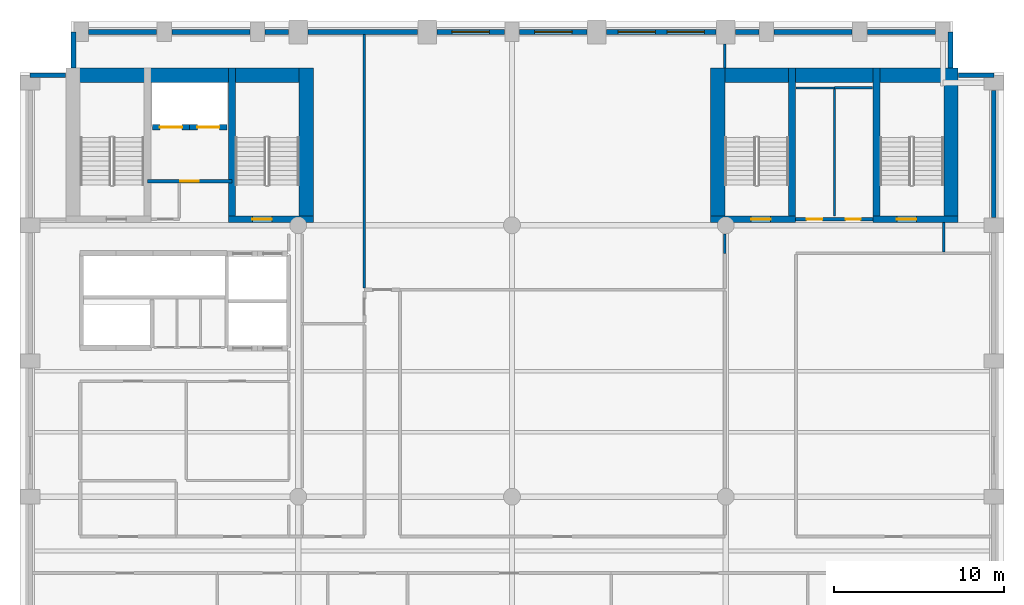
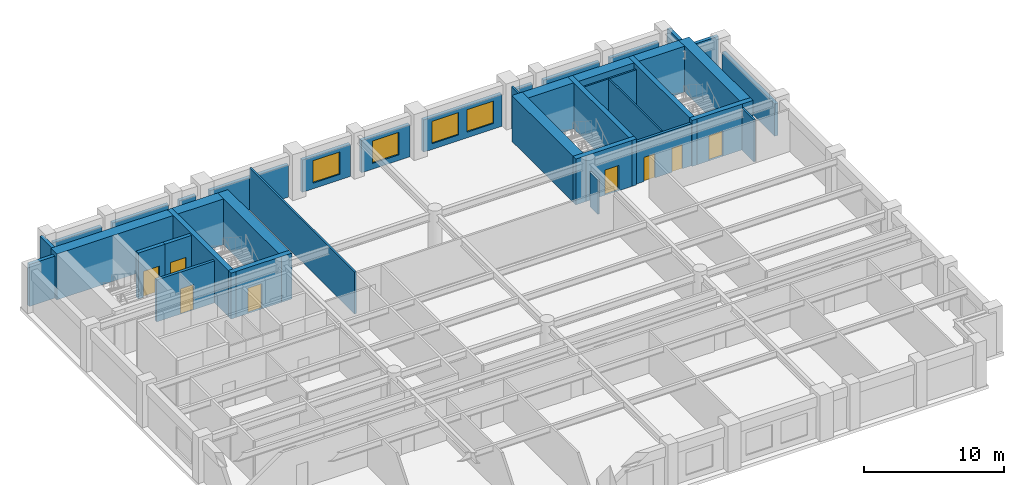
# One storey, part 5 of 8: 37 walls, 8 doors, 4 windows, 12 openings.
"""IFC4 building model written with IfcOpenShell, lengths in metres."""

from ifc_helpers import new_model, si_unit, direction, frame, frame_2d, origin, place, context, subcontext, project, spatial, rectangle, extrude, material, layer, layer_set, type_object, element, fill, save


model = new_model("IFC4")

# Units and contexts
model_context = context("Model", 3, precision=1e-05, world=origin(), true_north=direction((0.0, 1.0)))
body_context = subcontext(model_context, "Body", "Model", "MODEL_VIEW")
ifc_project = project(units=[si_unit("LENGTHUNIT", "METRE"), si_unit("AREAUNIT", "SQUARE_METRE"), si_unit("VOLUMEUNIT", "CUBIC_METRE"), si_unit("PLANEANGLEUNIT", "RADIAN"), si_unit("MASSUNIT", "GRAM", prefix="KILO")], contexts=[model_context])

# Site, building, storey
site_placement = place(None, origin())
site = spatial("IfcSite", under=ifc_project, at=site_placement, CompositionType="ELEMENT")
building_placement = place(site_placement, origin())
building = spatial("IfcBuilding", under=site, at=building_placement, Name="Sulina Concourse Tower", CompositionType="ELEMENT")
storey_placement = place(building_placement, frame((0.0, 0.0, 156.60009765625)))
storey = spatial("IfcBuildingStorey", under=building, at=storey_placement, Name="L38", CompositionType="ELEMENT", Elevation=156.60009765625)

# Wall, opening, door
ifc_material_1 = material(Name="Concrete C50/60", Category="concrete")
ifc_layer_1 = layer(ifc_material_1, 0.300048828125)
ifc_layer_set_1 = layer_set([ifc_layer_1], Name="Concrete C50/60")
wall_type_1 = type_object("IfcWallType", Name="Core Lift Hoistway Wall 300mm", PredefinedType="SOLIDWALL", material=ifc_layer_set_1)
wall_1_placement = place(storey_placement, frame((10.0, 39.780029296875, 0.0), z_axis=(0.0, 0.0, 1.0), x_axis=(-1.0, 0.0, 0.0)))
wall_1 = element("IfcWall", 1, at=wall_1_placement, inside=storey, type_object=wall_type_1, Name="L38 hoistway enclosure wall FFL-1", PredefinedType="SOLIDWALL", context=body_context, shape_type="SweptSolid", body=[
    extrude(rectangle(XDim=2.199951171875, YDim=0.300048828125, at=frame_2d((1.10009765625, 0.0))), origin(), (0.0, 0.0, 1.0), 4.0),
])
opening_1_placement = place(wall_1_placement, frame((0.449951171875, 0.0, 0.0)))
opening_1 = element("IfcOpeningElement", 2, at=opening_1_placement, cuts=wall_1, Name="Opening LD-02", PredefinedType="OPENING", context=body_context, shape_type="SweptSolid", body=[
    extrude(rectangle(XDim=1.300048828125, YDim=2.25, at=frame_2d((0.64990234375, 1.125))), frame((0.0, 0.159912109375, 0.0), z_axis=(0.0, -1.0, 0.0), x_axis=(1.0, 0.0, 0.0)), (0.0, 0.0, 1.0), 0.320068359375),
])
ifc_material_2 = material(Name="Stainless steel lift landing door", Category="steel")
ifc_layer_2 = layer(ifc_material_2, 0.050048828125)
ifc_layer_set_2 = layer_set([ifc_layer_2], Name="Stainless steel lift landing door")
door_type_1 = type_object("IfcDoorType", Name="Firefighting Lift Sliding Landing Door 1300x2250", OperationType="SLIDING_TO_RIGHT", PredefinedType="DOOR", material=ifc_layer_set_2)
door_1_placement = place(opening_1_placement, origin())
door_1 = element("IfcDoor", 3, at=door_1_placement, inside=storey, type_object=door_type_1, Name="L38 lift landing sliding door FFL-1", OperationType="SLIDING_TO_LEFT", OverallHeight=2.25, OverallWidth=1.300048828125, PredefinedType="DOOR", context=body_context, shape_type="SweptSolid", body=[
    extrude(rectangle(XDim=1.300048828125, YDim=2.25, at=frame_2d((0.64990234375, 1.125))), frame((0.0, 0.02490234375, 0.0), z_axis=(0.0, -1.0, 0.0), x_axis=(1.0, 0.0, 0.0)), (0.0, 0.0, 1.0), 0.050048828125),
])
fill(opening_1, door_1)

wall_2_placement = place(storey_placement, frame((12.199951171875, 39.780029296875, 0.0), z_axis=(0.0, 0.0, 1.0), x_axis=(-1.0, 0.0, 0.0)))
wall_2 = element("IfcWall", 4, at=wall_2_placement, inside=storey, type_object=wall_type_1, Name="L38 hoistway enclosure wall FFL-2", PredefinedType="SOLIDWALL", context=body_context, shape_type="SweptSolid", body=[
    extrude(rectangle(XDim=2.199951171875, YDim=0.300048828125, at=frame_2d((1.10009765625, 0.0))), origin(), (0.0, 0.0, 1.0), 4.0),
])
opening_2_placement = place(wall_2_placement, frame((0.449951171875, 0.0, 0.0)))
opening_2 = element("IfcOpeningElement", 5, at=opening_2_placement, cuts=wall_2, Name="Opening LD-02", PredefinedType="OPENING", context=body_context, shape_type="SweptSolid", body=[
    extrude(rectangle(XDim=1.300048828125, YDim=2.25, at=frame_2d((0.64990234375, 1.125))), frame((0.0, 0.159912109375, 0.0), z_axis=(0.0, -1.0, 0.0), x_axis=(1.0, 0.0, 0.0)), (0.0, 0.0, 1.0), 0.320068359375),
])
door_2_placement = place(opening_2_placement, origin())
door_2 = element("IfcDoor", 6, at=door_2_placement, inside=storey, type_object=door_type_1, Name="L38 lift landing sliding door FFL-2", OperationType="SLIDING_TO_RIGHT", OverallHeight=2.25, OverallWidth=1.300048828125, PredefinedType="DOOR", context=body_context, shape_type="SweptSolid", body=[
    extrude(rectangle(XDim=1.300048828125, YDim=2.25, at=frame_2d((0.64990234375, 1.125))), frame((0.0, 0.02490234375, 0.0), z_axis=(0.0, -1.0, 0.0), x_axis=(1.0, 0.0, 0.0)), (0.0, 0.0, 1.0), 0.050048828125),
])
fill(opening_2, door_2)

ifc_material_3 = material(Name="Gypsum board on steel stud", Category="steel")
ifc_layer_3 = layer(ifc_material_3, 0.219970703125)
ifc_layer_set_3 = layer_set([ifc_layer_3], Name="Gypsum board on steel stud")
wall_type_2 = type_object("IfcWallType", Name="Fire-Rated Lobby & Compartment Wall 220mm", PredefinedType="PARTITIONING", material=ifc_layer_set_3)
wall_3_placement = place(storey_placement, frame((7.510009765625, 36.60009765625, 0.0), z_axis=(0.0, 0.0, 1.0), x_axis=(1.0, 0.0, 0.0)))
wall_3 = element("IfcWall", 7, at=wall_3_placement, inside=storey, type_object=wall_type_2, Name="L38 firefighting lobby south fire wall", PredefinedType="PARTITIONING", context=body_context, shape_type="SweptSolid", body=[
    extrude(rectangle(XDim=4.97998046875, YDim=0.219970703125, at=frame_2d((2.489990234375, 0.0))), origin(), (0.0, 0.0, 1.0), 3.659912109375),
])
opening_3_placement = place(wall_3_placement, frame((1.93994140625, 0.0, 0.0)))
opening_3 = element("IfcOpeningElement", 8, at=opening_3_placement, cuts=wall_3, Name="Opening DR-47", PredefinedType="OPENING", context=body_context, shape_type="SweptSolid", body=[
    extrude(rectangle(XDim=1.10009765625, YDim=2.199951171875, at=frame_2d((0.550048828125, 1.10009765625))), frame((0.0, 0.119873046875, 0.0), z_axis=(0.0, -1.0, 0.0), x_axis=(1.0, 0.0, 0.0)), (0.0, 0.0, 1.0), 0.239990234375),
])
ifc_material_4 = material(Name="Galvanised steel acoustic fire leaf", Category="steel")
ifc_layer_4 = layer(ifc_material_4, 0.054931640625)
ifc_layer_set_4 = layer_set([ifc_layer_4], Name="Galvanised steel acoustic fire leaf")
door_type_2 = type_object("IfcDoorType", Name="Firefighting Lobby Fire Door 1100x2200", OperationType="NOTDEFINED", PredefinedType="DOOR", material=ifc_layer_set_4)
door_3_placement = place(opening_3_placement, origin())
door_3 = element("IfcDoor", 9, at=door_3_placement, inside=storey, type_object=door_type_2, Name="L38 firefighting lobby fire door", OperationType="SINGLE_SWING_LEFT", OverallHeight=2.199951171875, OverallWidth=1.10009765625, PredefinedType="DOOR", context=body_context, shape_type="SweptSolid", body=[
    extrude(rectangle(XDim=1.10009765625, YDim=2.199951171875, at=frame_2d((0.550048828125, 1.10009765625))), frame((0.0, 0.02490234375, 0.0), z_axis=(0.0, -1.0, 0.0), x_axis=(1.0, 0.0, 0.0)), (0.0, 0.0, 1.0), 0.050048828125),
])
fill(opening_3, door_3)

# Wall, openings, doors
wall_4_placement = place(storey_placement, frame((45.719970703125, 34.35009765625, 0.0), z_axis=(0.0, 0.0, 1.0), x_axis=(1.0, 0.0, 0.0)))
wall_4 = element("IfcWall", 10, at=wall_4_placement, inside=storey, type_object=wall_type_2, Name="L38 east core south lobby wall", PredefinedType="PARTITIONING", context=body_context, shape_type="SweptSolid", body=[
    extrude(rectangle(XDim=4.56005859375, YDim=0.219970703125, at=frame_2d((2.280029296875, 0.0))), origin(), (0.0, 0.0, 1.0), 3.659912109375),
])
opening_4_placement = place(wall_4_placement, frame((0.64990234375, 0.0, 0.0)))
opening_4 = element("IfcOpeningElement", 11, at=opening_4_placement, cuts=wall_4, Name="Opening DR-61", PredefinedType="OPENING", context=body_context, shape_type="SweptSolid", body=[
    extrude(rectangle(XDim=0.919921875, YDim=2.10009765625, at=frame_2d((0.4599609375, 1.050048828125))), frame((0.0, 0.119873046875, 0.0), z_axis=(0.0, -1.0, 0.0), x_axis=(1.0, 0.0, 0.0)), (0.0, 0.0, 1.0), 0.239990234375),
])
opening_5_placement = place(wall_4_placement, frame((2.949951171875, 0.0, 0.0)))
opening_5 = element("IfcOpeningElement", 12, at=opening_5_placement, cuts=wall_4, Name="Opening DR-38", PredefinedType="OPENING", context=body_context, shape_type="SweptSolid", body=[
    extrude(rectangle(XDim=0.8798828125, YDim=2.10009765625, at=frame_2d((0.43994140625, 1.050048828125))), frame((0.0, 0.119873046875, 0.0), z_axis=(0.0, -1.0, 0.0), x_axis=(1.0, 0.0, 0.0)), (0.0, 0.0, 1.0), 0.239990234375),
])
ifc_material_5 = material(Name="Oak-veneered fire door leaf")
ifc_layer_5 = layer(ifc_material_5, 0.050048828125)
ifc_layer_set_5 = layer_set([ifc_layer_5], Name="Oak-veneered fire door leaf")
door_type_3 = type_object("IfcDoorType", Name="Accessible WC Door 920x2100", OperationType="NOTDEFINED", PredefinedType="DOOR", material=ifc_layer_set_5)
door_4_placement = place(opening_4_placement, origin())
door_4 = element("IfcDoor", 13, at=door_4_placement, inside=storey, type_object=door_type_3, Name="L38 east core accessible wc door", OperationType="SINGLE_SWING_LEFT", OverallHeight=2.10009765625, OverallWidth=0.919921875, PredefinedType="DOOR", context=body_context, shape_type="SweptSolid", body=[
    extrude(rectangle(XDim=0.919921875, YDim=2.10009765625, at=frame_2d((0.4599609375, 1.050048828125))), frame((0.0, 0.02490234375, 0.0), z_axis=(0.0, -1.0, 0.0), x_axis=(1.0, 0.0, 0.0)), (0.0, 0.0, 1.0), 0.050048828125),
])
fill(opening_4, door_4)
ifc_material_6 = material(Name="Galvanised steel acoustic fire leaf", Category="steel")
ifc_layer_6 = layer(ifc_material_6, 0.050048828125)
ifc_layer_set_6 = layer_set([ifc_layer_6], Name="Galvanised steel acoustic fire leaf")
door_type_4 = type_object("IfcDoorType", Name="Service Riser Fire Door 880x2100", OperationType="NOTDEFINED", PredefinedType="DOOR", material=ifc_layer_set_6)
door_5_placement = place(opening_5_placement, origin())
door_5 = element("IfcDoor", 14, at=door_5_placement, inside=storey, type_object=door_type_4, Name="L38 east core store door", OperationType="SINGLE_SWING_RIGHT", OverallHeight=2.10009765625, OverallWidth=0.8798828125, PredefinedType="DOOR", context=body_context, shape_type="SweptSolid", body=[
    extrude(rectangle(XDim=0.8798828125, YDim=2.10009765625, at=frame_2d((0.43994140625, 1.050048828125))), frame((0.0, 0.02490234375, 0.0), z_axis=(0.0, -1.0, 0.0), x_axis=(1.0, 0.0, 0.0)), (0.0, 0.0, 1.0), 0.050048828125),
])
fill(opening_5, door_5)

# Walls
ifc_material_7 = material(Name="Gypsum board on steel stud", Category="steel")
ifc_layer_7 = layer(ifc_material_7, 0.14990234375)
ifc_layer_set_7 = layer_set([ifc_layer_7], Name="Gypsum board on steel stud")
wall_type_3 = type_object("IfcWallType", Name="Inter-Tenancy Acoustic Partition 150mm", PredefinedType="PARTITIONING", material=ifc_layer_set_7)
wall_5_placement = place(storey_placement, frame((48.0, 42.10009765625, 0.0), z_axis=(0.0, 0.0, 1.0), x_axis=(1.0, 0.0, 0.0)))
element("IfcWall", 15, at=wall_5_placement, inside=storey, type_object=wall_type_3, Name="L38 interior partition 029", PredefinedType="PARTITIONING", context=body_context, shape_type="SweptSolid", body=[
    extrude(rectangle(XDim=2.25, YDim=0.14990234375, at=frame_2d((1.125, 0.0))), origin(), (0.0, 0.0, 1.0), 3.659912109375),
])
wall_6_placement = place(storey_placement, frame((20.300048828125, 30.2900390625, 0.0), z_axis=(0.0, 0.0, 1.0), x_axis=(0.0, 1.0, 0.0)))
element("IfcWall", 16, at=wall_6_placement, inside=storey, type_object=wall_type_3, Name="L38 interior partition 048", PredefinedType="PARTITIONING", context=body_context, shape_type="SweptSolid", body=[
    extrude(rectangle(XDim=14.969970703125, YDim=0.14990234375, at=frame_2d((7.48486328125, 0.0))), origin(), (0.0, 0.0, 1.0), 3.659912109375),
])
wall_7_placement = place(storey_placement, frame((41.550048828125, 32.35009765625, 0.0), z_axis=(0.0, 0.0, 1.0), x_axis=(0.0, 1.0, 0.0)))
element("IfcWall", 17, at=wall_7_placement, inside=storey, type_object=wall_type_3, Name="L38 interior partition 055", PredefinedType="PARTITIONING", context=body_context, shape_type="SweptSolid", body=[
    extrude(rectangle(XDim=1.14990234375, YDim=0.14990234375, at=frame_2d((0.574951171875, 0.0))), origin(), (0.0, 0.0, 1.0), 3.0048828125),
])
wall_8_placement = place(storey_placement, frame((41.550048828125, 43.280029296875, 0.0), z_axis=(0.0, 0.0, 1.0), x_axis=(0.0, 1.0, 0.0)))
element("IfcWall", 18, at=wall_8_placement, inside=storey, type_object=wall_type_3, Name="L38 interior partition 056", PredefinedType="PARTITIONING", context=body_context, shape_type="SweptSolid", body=[
    extrude(rectangle(XDim=1.419921875, YDim=0.14990234375, at=frame_2d((0.7099609375, 0.0))), origin(), (0.0, 0.0, 1.0), 3.659912109375),
])
wall_9_placement = place(storey_placement, frame((54.449951171875, 32.425048828125, 0.0), z_axis=(0.0, 0.0, 1.0), x_axis=(0.0, 1.0, 0.0)))
element("IfcWall", 19, at=wall_9_placement, inside=storey, type_object=wall_type_3, Name="L38 interior partition 061", PredefinedType="PARTITIONING", context=body_context, shape_type="SweptSolid", body=[
    extrude(rectangle(XDim=1.724853515625, YDim=0.14990234375, at=frame_2d((0.8623046875, 0.0))), origin(), (0.0, 0.0, 1.0), 3.659912109375),
])

# Wall, opening, door
ifc_material_8 = material(Name="Concrete C60/75", Category="concrete")
ifc_layer_8 = layer(ifc_material_8, 0.39990234375)
ifc_layer_set_8 = layer_set([ifc_layer_8], Name="Concrete C60/75")
wall_type_4 = type_object("IfcWallType", Name="Protected Stair Core Shear Wall 400mm", PredefinedType="SHEAR", material=ifc_layer_set_8)
wall_10_placement = place(storey_placement, frame((12.2900390625, 34.35009765625, 0.0), z_axis=(0.0, 0.0, 1.0), x_axis=(1.0, 0.0, 0.0)))
wall_10 = element("IfcWall", 20, at=wall_10_placement, inside=storey, type_object=wall_type_4, Name="L38 west core shear wall CW-WS2", PredefinedType="SHEAR", context=body_context, shape_type="SweptSolid", body=[
    extrude(rectangle(XDim=5.010009765625, YDim=0.39990234375, at=frame_2d((2.5048828125, 0.0))), origin(), (0.0, 0.0, 1.0), 4.0),
])
opening_6_placement = place(wall_10_placement, frame((1.39990234375, 0.0, 0.0)))
opening_6 = element("IfcOpeningElement", 21, at=opening_6_placement, cuts=wall_10, Name="Opening DR-60", PredefinedType="OPENING", context=body_context, shape_type="SweptSolid", body=[
    extrude(rectangle(XDim=1.14990234375, YDim=2.199951171875, at=frame_2d((0.574951171875, 1.10009765625))), frame((0.0, 0.2099609375, 0.0), z_axis=(0.0, -1.0, 0.0), x_axis=(1.0, 0.0, 0.0)), (0.0, 0.0, 1.0), 0.419921875),
])
ifc_material_9 = material(Name="Galvanised steel acoustic fire leaf", Category="steel")
ifc_layer_9 = layer(ifc_material_9, 0.054931640625)
ifc_layer_set_9 = layer_set([ifc_layer_9], Name="Galvanised steel acoustic fire leaf")
door_type_5 = type_object("IfcDoorType", Name="Protected Exit Stair Fire Door 1150x2200", OperationType="NOTDEFINED", PredefinedType="DOOR", material=ifc_layer_set_9)
door_6_placement = place(opening_6_placement, origin())
door_6 = element("IfcDoor", 22, at=door_6_placement, inside=storey, type_object=door_type_5, Name="L38 stair ST-2 lobby fire door", OperationType="SINGLE_SWING_RIGHT", OverallHeight=2.199951171875, OverallWidth=1.14990234375, PredefinedType="DOOR", context=body_context, shape_type="SweptSolid", body=[
    extrude(rectangle(XDim=1.14990234375, YDim=2.199951171875, at=frame_2d((0.574951171875, 1.10009765625))), frame((0.0, 0.02490234375, 0.0), z_axis=(0.0, -1.0, 0.0), x_axis=(1.0, 0.0, 0.0)), (0.0, 0.0, 1.0), 0.050048828125),
])
fill(opening_6, door_6)

# Wall
wall_11_placement = place(storey_placement, frame((12.489990234375, 34.14990234375, 0.0), z_axis=(0.0, 0.0, 1.0), x_axis=(0.0, 1.0, 0.0)))
element("IfcWall", 23, at=wall_11_placement, inside=storey, type_object=wall_type_4, Name="L38 west core shear wall SW-ST2", PredefinedType="SHEAR", context=body_context, shape_type="SweptSolid", body=[
    extrude(rectangle(XDim=9.130126953125, YDim=0.39990234375, at=frame_2d((4.56494140625, 0.0))), origin(), (0.0, 0.0, 1.0), 4.0),
])

# Wall, opening, door
wall_12_placement = place(storey_placement, frame((40.699951171875, 34.35009765625, 0.0), z_axis=(0.0, 0.0, 1.0), x_axis=(1.0, 0.0, 0.0)))
wall_12 = element("IfcWall", 24, at=wall_12_placement, inside=storey, type_object=wall_type_4, Name="L38 east core shear wall CW-ES1", PredefinedType="SHEAR", context=body_context, shape_type="SweptSolid", body=[
    extrude(rectangle(XDim=5.010009765625, YDim=0.39990234375, at=frame_2d((2.5048828125, 0.0))), origin(), (0.0, 0.0, 1.0), 4.0),
])
opening_7_placement = place(wall_12_placement, frame((2.39990234375, 0.0, 0.0)))
opening_7 = element("IfcOpeningElement", 25, at=opening_7_placement, cuts=wall_12, Name="Opening DR-60", PredefinedType="OPENING", context=body_context, shape_type="SweptSolid", body=[
    extrude(rectangle(XDim=1.14990234375, YDim=2.199951171875, at=frame_2d((0.574951171875, 1.10009765625))), frame((0.0, 0.2099609375, 0.0), z_axis=(0.0, -1.0, 0.0), x_axis=(1.0, 0.0, 0.0)), (0.0, 0.0, 1.0), 0.419921875),
])
door_7_placement = place(opening_7_placement, origin())
door_7 = element("IfcDoor", 26, at=door_7_placement, inside=storey, type_object=door_type_5, Name="L38 stair ST-3 south lobby fire door", OperationType="SINGLE_SWING_RIGHT", OverallHeight=2.199951171875, OverallWidth=1.14990234375, PredefinedType="DOOR", context=body_context, shape_type="SweptSolid", body=[
    extrude(rectangle(XDim=1.14990234375, YDim=2.199951171875, at=frame_2d((0.574951171875, 1.10009765625))), frame((0.0, 0.02490234375, 0.0), z_axis=(0.0, -1.0, 0.0), x_axis=(1.0, 0.0, 0.0)), (0.0, 0.0, 1.0), 0.050048828125),
])
fill(opening_7, door_7)

# Wall
wall_13_placement = place(storey_placement, frame((45.510009765625, 34.14990234375, 0.0), z_axis=(0.0, 0.0, 1.0), x_axis=(0.0, 1.0, 0.0)))
element("IfcWall", 27, at=wall_13_placement, inside=storey, type_object=wall_type_4, Name="L38 east core shear wall SW-ST3", PredefinedType="SHEAR", context=body_context, shape_type="SweptSolid", body=[
    extrude(rectangle(XDim=9.130126953125, YDim=0.39990234375, at=frame_2d((4.56494140625, 0.0))), origin(), (0.0, 0.0, 1.0), 4.0),
])

# Wall, opening, door
wall_14_placement = place(storey_placement, frame((50.2900390625, 34.35009765625, 0.0), z_axis=(0.0, 0.0, 1.0), x_axis=(1.0, 0.0, 0.0)))
wall_14 = element("IfcWall", 28, at=wall_14_placement, inside=storey, type_object=wall_type_4, Name="L38 east core shear wall CW-ES2", PredefinedType="SHEAR", context=body_context, shape_type="SweptSolid", body=[
    extrude(rectangle(XDim=5.010009765625, YDim=0.39990234375, at=frame_2d((2.5048828125, 0.0))), origin(), (0.0, 0.0, 1.0), 4.0),
])
opening_8_placement = place(wall_14_placement, frame((1.39990234375, 0.0, 0.0)))
opening_8 = element("IfcOpeningElement", 29, at=opening_8_placement, cuts=wall_14, Name="Opening DR-60", PredefinedType="OPENING", context=body_context, shape_type="SweptSolid", body=[
    extrude(rectangle(XDim=1.14990234375, YDim=2.199951171875, at=frame_2d((0.574951171875, 1.10009765625))), frame((0.0, 0.2099609375, 0.0), z_axis=(0.0, -1.0, 0.0), x_axis=(1.0, 0.0, 0.0)), (0.0, 0.0, 1.0), 0.419921875),
])
door_8_placement = place(opening_8_placement, origin())
door_8 = element("IfcDoor", 30, at=door_8_placement, inside=storey, type_object=door_type_5, Name="L38 stair ST-4 south lobby fire door", OperationType="SINGLE_SWING_LEFT", OverallHeight=2.199951171875, OverallWidth=1.14990234375, PredefinedType="DOOR", context=body_context, shape_type="SweptSolid", body=[
    extrude(rectangle(XDim=1.14990234375, YDim=2.199951171875, at=frame_2d((0.574951171875, 1.10009765625))), frame((0.0, 0.02490234375, 0.0), z_axis=(0.0, -1.0, 0.0), x_axis=(1.0, 0.0, 0.0)), (0.0, 0.0, 1.0), 0.050048828125),
])
fill(opening_8, door_8)

# Walls
wall_15_placement = place(storey_placement, frame((50.489990234375, 34.14990234375, 0.0), z_axis=(0.0, 0.0, 1.0), x_axis=(0.0, 1.0, 0.0)))
element("IfcWall", 31, at=wall_15_placement, inside=storey, type_object=wall_type_4, Name="L38 east core shear wall SW-ST4", PredefinedType="SHEAR", context=body_context, shape_type="SweptSolid", body=[
    extrude(rectangle(XDim=9.130126953125, YDim=0.39990234375, at=frame_2d((4.56494140625, 0.0))), origin(), (0.0, 0.0, 1.0), 4.0),
])
ifc_material_10 = material(Name="Concrete C60/75", Category="concrete")
ifc_layer_10 = layer(ifc_material_10, 0.85009765625)
ifc_layer_set_10 = layer_set([ifc_layer_10], Name="Concrete C60/75")
wall_type_5 = type_object("IfcWallType", Name="Rear Core Shear Wall 850mm", PredefinedType="SHEAR", material=ifc_layer_set_10)
wall_16_placement = place(storey_placement, frame((2.699951171875, 42.85498046875, 0.0), z_axis=(0.0, 0.0, 1.0), x_axis=(1.0, 0.0, 0.0)))
element("IfcWall", 32, at=wall_16_placement, inside=storey, type_object=wall_type_5, Name="L38 west core shear wall CW-WN", PredefinedType="SHEAR", context=body_context, shape_type="SweptSolid", body=[
    extrude(rectangle(XDim=14.60009765625, YDim=0.85009765625, at=frame_2d((7.300048828125, 0.0))), origin(), (0.0, 0.0, 1.0), 4.0),
])
wall_17_placement = place(storey_placement, frame((16.875, 34.14990234375, 0.0), z_axis=(0.0, 0.0, 1.0), x_axis=(0.0, 1.0, 0.0)))
element("IfcWall", 33, at=wall_17_placement, inside=storey, type_object=wall_type_5, Name="L38 west core shear wall CW-WE", PredefinedType="SHEAR", context=body_context, shape_type="SweptSolid", body=[
    extrude(rectangle(XDim=9.130126953125, YDim=0.85009765625, at=frame_2d((4.56494140625, 0.0))), origin(), (0.0, 0.0, 1.0), 4.0),
])
wall_18_placement = place(storey_placement, frame((40.699951171875, 42.85498046875, 0.0), z_axis=(0.0, 0.0, 1.0), x_axis=(1.0, 0.0, 0.0)))
element("IfcWall", 34, at=wall_18_placement, inside=storey, type_object=wall_type_5, Name="L38 east core shear wall CW-EN", PredefinedType="SHEAR", context=body_context, shape_type="SweptSolid", body=[
    extrude(rectangle(XDim=14.60009765625, YDim=0.85009765625, at=frame_2d((7.300048828125, 0.0))), origin(), (0.0, 0.0, 1.0), 4.0),
])
for number, where, z_axis, x_axis, name in (
    (35, (41.125, 34.14990234375, 0.0), (0.0, 0.0, 1.0), (0.0, 1.0, 0.0), "L38 east core shear wall CW-EW"),
    (36, (54.875, 34.14990234375, 0.0), (0.0, 0.0, 1.0), (0.0, 1.0, 0.0), "L38 east core shear wall CW-EE"),
):
    element("IfcWall", number, at=place(storey_placement, frame(where, z_axis=z_axis, x_axis=x_axis)), inside=storey, type_object=wall_type_5, Name=name, PredefinedType="SHEAR", context=body_context, shape_type="SweptSolid", body=[
        extrude(rectangle(XDim=9.130126953125, YDim=0.85009765625, at=frame_2d((4.56494140625, 0.0))), origin(), (0.0, 0.0, 1.0), 4.0),
    ])
ifc_material_11 = material(Name="Precast concrete C50/60", Category="concrete")
ifc_layer_11 = layer(ifc_material_11, 0.280029296875)
ifc_layer_set_11 = layer_set([ifc_layer_11], Name="Precast concrete C50/60")
wall_type_6 = type_object("IfcWallType", Name="Typical Precast Masonry-Frame Facade Wall 280mm", PredefinedType="SOLIDWALL", material=ifc_layer_set_11)
wall_19_placement = place(storey_placement, frame((4.044921875, 45.39990234375, 0.0), z_axis=(0.0, 0.0, 1.0), x_axis=(1.0, 0.0, 0.0)))
element("IfcWall", 37, at=wall_19_placement, inside=storey, type_object=wall_type_6, Name="L38 exterior precast wall N1", PredefinedType="SOLIDWALL", context=body_context, shape_type="SweptSolid", body=[
    extrude(rectangle(XDim=4.010009765625, YDim=0.280029296875, at=frame_2d((2.0048828125, 0.0))), origin(), (0.0, 0.0, 1.0), 2.809814453125),
])
wall_20_placement = place(storey_placement, frame((8.945068359375, 45.39990234375, 0.0), z_axis=(0.0, 0.0, 1.0), x_axis=(1.0, 0.0, 0.0)))
element("IfcWall", 38, at=wall_20_placement, inside=storey, type_object=wall_type_6, Name="L38 exterior precast wall N2", PredefinedType="SOLIDWALL", context=body_context, shape_type="SweptSolid", body=[
    extrude(rectangle(XDim=4.60986328125, YDim=0.280029296875, at=frame_2d((2.304931640625, 0.0))), origin(), (0.0, 0.0, 1.0), 2.809814453125),
])
wall_21_placement = place(storey_placement, frame((14.445068359375, 45.39990234375, 0.0), z_axis=(0.0, 0.0, 1.0), x_axis=(1.0, 0.0, 0.0)))
element("IfcWall", 39, at=wall_21_placement, inside=storey, type_object=wall_type_6, Name="L38 exterior precast wall N3", PredefinedType="SOLIDWALL", context=body_context, shape_type="SweptSolid", body=[
    extrude(rectangle(XDim=1.385009765625, YDim=0.280029296875, at=frame_2d((0.6923828125, 0.0))), origin(), (0.0, 0.0, 1.0), 2.809814453125),
])
wall_22_placement = place(storey_placement, frame((16.969970703125, 45.39990234375, 0.0), z_axis=(0.0, 0.0, 1.0), x_axis=(1.0, 0.0, 0.0)))
element("IfcWall", 40, at=wall_22_placement, inside=storey, type_object=wall_type_6, Name="L38 exterior precast wall N4", PredefinedType="SOLIDWALL", context=body_context, shape_type="SweptSolid", body=[
    extrude(rectangle(XDim=6.4599609375, YDim=0.280029296875, at=frame_2d((3.22998046875, 0.0))), origin(), (0.0, 0.0, 1.0), 2.809814453125),
])

# Wall, opening, window
wall_23_placement = place(storey_placement, frame((24.570068359375, 45.39990234375, 0.0), z_axis=(0.0, 0.0, 1.0), x_axis=(1.0, 0.0, 0.0)))
wall_23 = element("IfcWall", 41, at=wall_23_placement, inside=storey, type_object=wall_type_6, Name="L38 exterior precast wall N5", PredefinedType="SOLIDWALL", context=body_context, shape_type="SweptSolid", body=[
    extrude(rectangle(XDim=3.98486328125, YDim=0.280029296875, at=frame_2d((1.992431640625, 0.0))), origin(), (0.0, 0.0, 1.0), 2.809814453125),
])
opening_9_placement = place(wall_23_placement, frame((0.892578125, 0.0, 0.5)))
opening_9 = element("IfcOpeningElement", 42, at=opening_9_placement, cuts=wall_23, Name="Opening WN-76", PredefinedType="OPENING", context=body_context, shape_type="SweptSolid", body=[
    extrude(rectangle(XDim=2.199951171875, YDim=1.949951171875, at=frame_2d((1.10009765625, 0.97509765625))), frame((0.0, 0.14990234375, 0.0), z_axis=(0.0, -1.0, 0.0), x_axis=(1.0, 0.0, 0.0)), (0.0, 0.0, 1.0), 0.300048828125),
])
ifc_material_12 = material(Name="Low-E solar double glazing in bronze aluminium", Category="aluminium")
window_type = type_object("IfcWindowType", Name="Recessed Spandrel Window 2200x1950", PartitioningType="DOUBLE_PANEL_VERTICAL", PredefinedType="WINDOW", material=ifc_material_12)
window_1_placement = place(opening_9_placement, origin())
window_1 = element("IfcWindow", 43, at=window_1_placement, inside=storey, type_object=window_type, Name="L38 punched window N5-1", OverallHeight=1.949951171875, OverallWidth=2.199951171875, PartitioningType="SINGLE_PANEL", PredefinedType="WINDOW", context=body_context, shape_type="SweptSolid", body=[
    extrude(rectangle(XDim=2.199951171875, YDim=1.949951171875, at=frame_2d((1.10009765625, 0.97509765625))), frame((0.0, 0.030029296875, 0.0), z_axis=(0.0, -1.0, 0.0), x_axis=(1.0, 0.0, 0.0)), (0.0, 0.0, 1.0), 0.06005859375),
])
fill(opening_9, window_1)

wall_24_placement = place(storey_placement, frame((29.445068359375, 45.39990234375, 0.0), z_axis=(0.0, 0.0, 1.0), x_axis=(1.0, 0.0, 0.0)))
wall_24 = element("IfcWall", 44, at=wall_24_placement, inside=storey, type_object=wall_type_6, Name="L38 exterior precast wall N6", PredefinedType="SOLIDWALL", context=body_context, shape_type="SweptSolid", body=[
    extrude(rectangle(XDim=3.98486328125, YDim=0.280029296875, at=frame_2d((1.992431640625, 0.0))), origin(), (0.0, 0.0, 1.0), 2.809814453125),
])
opening_10_placement = place(wall_24_placement, frame((0.892578125, 0.0, 0.5)))
opening_10 = element("IfcOpeningElement", 45, at=opening_10_placement, cuts=wall_24, Name="Opening WN-76", PredefinedType="OPENING", context=body_context, shape_type="SweptSolid", body=[
    extrude(rectangle(XDim=2.199951171875, YDim=1.949951171875, at=frame_2d((1.10009765625, 0.97509765625))), frame((0.0, 0.14990234375, 0.0), z_axis=(0.0, -1.0, 0.0), x_axis=(1.0, 0.0, 0.0)), (0.0, 0.0, 1.0), 0.300048828125),
])
window_2_placement = place(opening_10_placement, origin())
window_2 = element("IfcWindow", 46, at=window_2_placement, inside=storey, type_object=window_type, Name="L38 punched window N6-1", OverallHeight=1.949951171875, OverallWidth=2.199951171875, PartitioningType="SINGLE_PANEL", PredefinedType="WINDOW", context=body_context, shape_type="SweptSolid", body=[
    extrude(rectangle(XDim=2.199951171875, YDim=1.949951171875, at=frame_2d((1.10009765625, 0.97509765625))), frame((0.0, 0.030029296875, 0.0), z_axis=(0.0, -1.0, 0.0), x_axis=(1.0, 0.0, 0.0)), (0.0, 0.0, 1.0), 0.06005859375),
])
fill(opening_10, window_2)

# Wall, openings, windows
wall_25_placement = place(storey_placement, frame((34.570068359375, 45.39990234375, 0.0), z_axis=(0.0, 0.0, 1.0), x_axis=(1.0, 0.0, 0.0)))
wall_25 = element("IfcWall", 47, at=wall_25_placement, inside=storey, type_object=wall_type_6, Name="L38 exterior precast wall N7", PredefinedType="SOLIDWALL", context=body_context, shape_type="SweptSolid", body=[
    extrude(rectangle(XDim=6.4599609375, YDim=0.280029296875, at=frame_2d((3.22998046875, 0.0))), origin(), (0.0, 0.0, 1.0), 2.809814453125),
])
opening_11_placement = place(wall_25_placement, frame((0.686767578125, 0.0, 0.5)))
opening_11 = element("IfcOpeningElement", 48, at=opening_11_placement, cuts=wall_25, Name="Opening WN-76", PredefinedType="OPENING", context=body_context, shape_type="SweptSolid", body=[
    extrude(rectangle(XDim=2.199951171875, YDim=1.949951171875, at=frame_2d((1.10009765625, 0.97509765625))), frame((0.0, 0.14990234375, 0.0), z_axis=(0.0, -1.0, 0.0), x_axis=(1.0, 0.0, 0.0)), (0.0, 0.0, 1.0), 0.300048828125),
])
opening_12_placement = place(wall_25_placement, frame((3.5732421875, 0.0, 0.5)))
opening_12 = element("IfcOpeningElement", 49, at=opening_12_placement, cuts=wall_25, Name="Opening WN-76", PredefinedType="OPENING", context=body_context, shape_type="SweptSolid", body=[
    extrude(rectangle(XDim=2.199951171875, YDim=1.949951171875, at=frame_2d((1.10009765625, 0.97509765625))), frame((0.0, 0.14990234375, 0.0), z_axis=(0.0, -1.0, 0.0), x_axis=(1.0, 0.0, 0.0)), (0.0, 0.0, 1.0), 0.300048828125),
])
window_3_placement = place(opening_11_placement, origin())
window_3 = element("IfcWindow", 50, at=window_3_placement, inside=storey, type_object=window_type, Name="L38 punched window N7-1", OverallHeight=1.949951171875, OverallWidth=2.199951171875, PartitioningType="SINGLE_PANEL", PredefinedType="WINDOW", context=body_context, shape_type="SweptSolid", body=[
    extrude(rectangle(XDim=2.199951171875, YDim=1.949951171875, at=frame_2d((1.10009765625, 0.97509765625))), frame((0.0, 0.030029296875, 0.0), z_axis=(0.0, -1.0, 0.0), x_axis=(1.0, 0.0, 0.0)), (0.0, 0.0, 1.0), 0.06005859375),
])
fill(opening_11, window_3)
window_4_placement = place(opening_12_placement, origin())
window_4 = element("IfcWindow", 51, at=window_4_placement, inside=storey, type_object=window_type, Name="L38 punched window N7-2", OverallHeight=1.949951171875, OverallWidth=2.199951171875, PartitioningType="SINGLE_PANEL", PredefinedType="WINDOW", context=body_context, shape_type="SweptSolid", body=[
    extrude(rectangle(XDim=2.199951171875, YDim=1.949951171875, at=frame_2d((1.10009765625, 0.97509765625))), frame((0.0, 0.030029296875, 0.0), z_axis=(0.0, -1.0, 0.0), x_axis=(1.0, 0.0, 0.0)), (0.0, 0.0, 1.0), 0.06005859375),
])
fill(opening_12, window_4)

# Walls
wall_26_placement = place(storey_placement, frame((42.169921875, 45.39990234375, 0.0), z_axis=(0.0, 0.0, 1.0), x_axis=(1.0, 0.0, 0.0)))
element("IfcWall", 52, at=wall_26_placement, inside=storey, type_object=wall_type_6, Name="L38 exterior precast wall N8", PredefinedType="SOLIDWALL", context=body_context, shape_type="SweptSolid", body=[
    extrude(rectangle(XDim=1.385009765625, YDim=0.280029296875, at=frame_2d((0.6923828125, 0.0))), origin(), (0.0, 0.0, 1.0), 2.809814453125),
])
wall_27_placement = place(storey_placement, frame((44.445068359375, 45.39990234375, 0.0), z_axis=(0.0, 0.0, 1.0), x_axis=(1.0, 0.0, 0.0)))
element("IfcWall", 53, at=wall_27_placement, inside=storey, type_object=wall_type_6, Name="L38 exterior precast wall N9", PredefinedType="SOLIDWALL", context=body_context, shape_type="SweptSolid", body=[
    extrude(rectangle(XDim=4.60986328125, YDim=0.280029296875, at=frame_2d((2.304931640625, 0.0))), origin(), (0.0, 0.0, 1.0), 2.809814453125),
])
wall_28_placement = place(storey_placement, frame((49.945068359375, 45.39990234375, 0.0), z_axis=(0.0, 0.0, 1.0), x_axis=(1.0, 0.0, 0.0)))
element("IfcWall", 54, at=wall_28_placement, inside=storey, type_object=wall_type_6, Name="L38 exterior precast wall N10", PredefinedType="SOLIDWALL", context=body_context, shape_type="SweptSolid", body=[
    extrude(rectangle(XDim=4.010009765625, YDim=0.280029296875, at=frame_2d((2.0048828125, 0.0))), origin(), (0.0, 0.0, 1.0), 2.809814453125),
])
wall_29_placement = place(storey_placement, frame((57.39990234375, 41.955078125, 0.0), z_axis=(0.0, 0.0, 1.0), x_axis=(0.0, -1.0, 0.0)))
element("IfcWall", 55, at=wall_29_placement, inside=storey, type_object=wall_type_6, Name="L38 exterior precast wall E5", PredefinedType="SOLIDWALL", context=body_context, shape_type="SweptSolid", body=[
    extrude(rectangle(XDim=7.510009765625, YDim=0.280029296875, at=frame_2d((3.7548828125, 0.0))), origin(), (0.0, 0.0, 1.0), 2.809814453125),
])
wall_30_placement = place(storey_placement, frame((0.60009765625, 42.844970703125, 0.0), z_axis=(0.0, 0.0, 1.0), x_axis=(1.0, 0.0, 0.0)))
element("IfcWall", 56, at=wall_30_placement, inside=storey, type_object=wall_type_6, Name="L38 exterior precast wall CNW1", PredefinedType="SOLIDWALL", context=body_context, shape_type="SweptSolid", body=[
    extrude(rectangle(XDim=2.094970703125, YDim=0.280029296875, at=frame_2d((1.04736328125, 0.0))), origin(), (0.0, 0.0, 1.0), 3.659912109375),
])
for number, where, z_axis, x_axis, name in (
    (57, (3.155029296875, 43.284912109375, 0.0), (0.0, 0.0, 1.0), (0.0, 1.0, 0.0), "L38 exterior precast wall CNW2"),
    (58, (54.844970703125, 45.39990234375, 0.0), (0.0, 0.0, 1.0), (0.0, -1.0, 0.0), "L38 exterior precast wall CNE1"),
):
    element("IfcWall", number, at=place(storey_placement, frame(where, z_axis=z_axis, x_axis=x_axis)), inside=storey, type_object=wall_type_6, Name=name, PredefinedType="SOLIDWALL", context=body_context, shape_type="SweptSolid", body=[
        extrude(rectangle(XDim=2.114990234375, YDim=0.280029296875, at=frame_2d((1.0576171875, 0.0))), origin(), (0.0, 0.0, 1.0), 3.659912109375),
    ])
wall_31_placement = place(storey_placement, frame((55.304931640625, 42.844970703125, 0.0), z_axis=(0.0, 0.0, 1.0), x_axis=(1.0, 0.0, 0.0)))
element("IfcWall", 59, at=wall_31_placement, inside=storey, type_object=wall_type_6, Name="L38 exterior precast wall CNE2", PredefinedType="SOLIDWALL", context=body_context, shape_type="SweptSolid", body=[
    extrude(rectangle(XDim=2.094970703125, YDim=0.280029296875, at=frame_2d((1.04736328125, 0.0))), origin(), (0.0, 0.0, 1.0), 3.659912109375),
])
ifc_material_13 = material(Name="Gypsum board on steel stud", Category="steel")
ifc_layer_12 = layer(ifc_material_13, 0.125)
ifc_layer_set_12 = layer_set([ifc_layer_12], Name="Gypsum board on steel stud")
wall_type_7 = type_object("IfcWallType", Name="Wet-Area Moisture-Resistant Partition 125mm", PredefinedType="PARTITIONING", material=ifc_layer_set_12)
wall_32_placement = place(storey_placement, frame((45.75, 42.10009765625, 0.0), z_axis=(0.0, 0.0, 1.0), x_axis=(1.0, 0.0, 0.0)))
element("IfcWall", 60, at=wall_32_placement, inside=storey, type_object=wall_type_7, Name="L38 interior partition 028", PredefinedType="PARTITIONING", context=body_context, shape_type="SweptSolid", body=[
    extrude(rectangle(XDim=2.25, YDim=0.125, at=frame_2d((1.125, 0.0))), origin(), (0.0, 0.0, 1.0), 3.659912109375),
])
wall_33_placement = place(storey_placement, frame((48.0, 34.550048828125, 0.0), z_axis=(0.0, 0.0, 1.0), x_axis=(0.0, 1.0, 0.0)))
element("IfcWall", 61, at=wall_33_placement, inside=storey, type_object=wall_type_7, Name="L38 interior partition 059", PredefinedType="PARTITIONING", context=body_context, shape_type="SweptSolid", body=[
    extrude(rectangle(XDim=7.474853515625, YDim=0.125, at=frame_2d((3.7373046875, 0.0))), origin(), (0.0, 0.0, 1.0), 3.659912109375),
])

save(model, "model.ifc")
